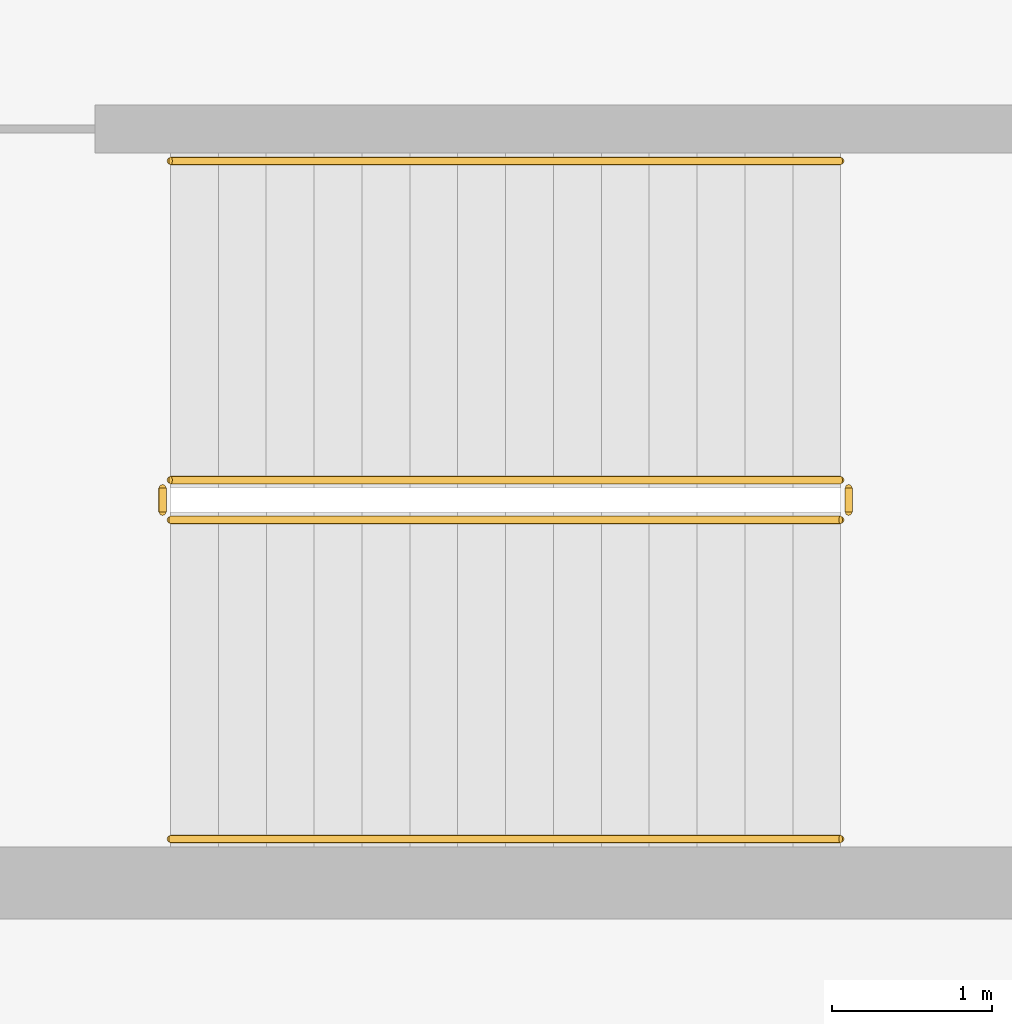
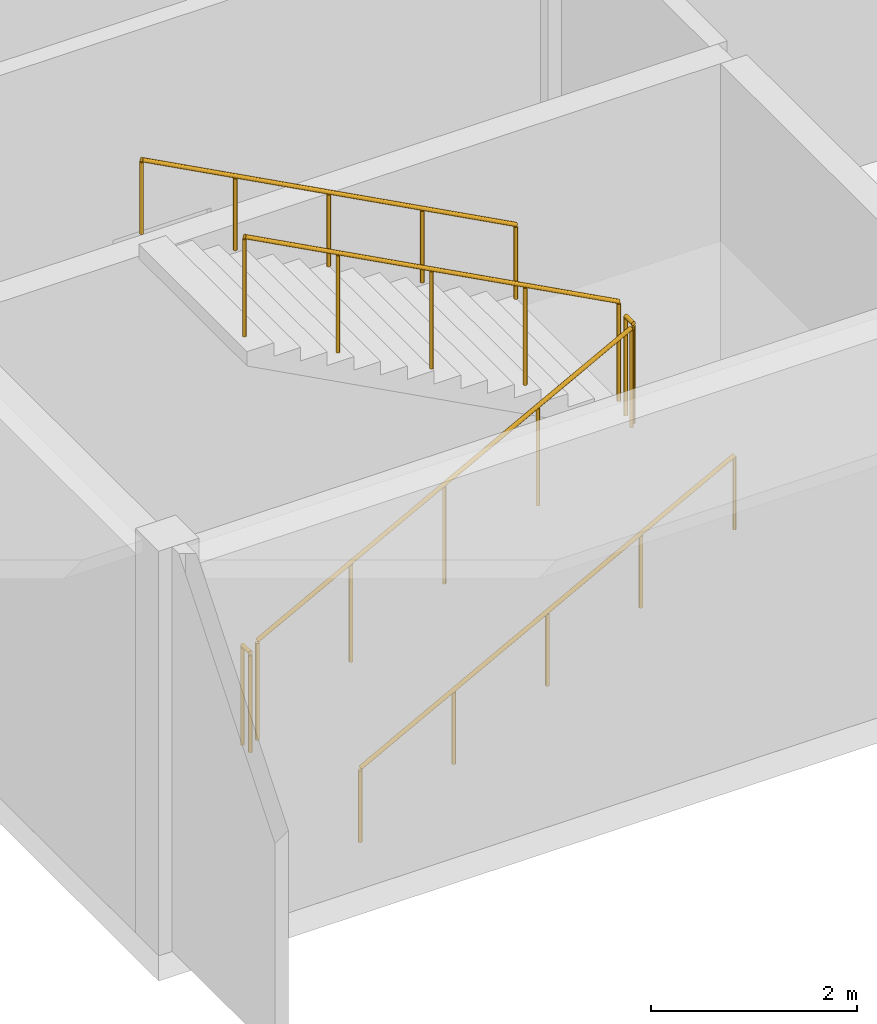
# One storey, part 172 of 182: 6 railings.
"""IFC4 building model written with IfcOpenShell, lengths in metres."""

from ifc_helpers import new_model, si_unit, direction, frame, origin, origin_2d, place, context, subcontext, project, spatial, circle, extrude, material, type_object, element, save


model = new_model("IFC4")

# Units and contexts
model_context = context("Model", 3, precision=1e-05, world=origin(), true_north=direction((0.0, 1.0)))
body_context = subcontext(model_context, "Body", "Model", "MODEL_VIEW")
ifc_project = project(units=[si_unit("LENGTHUNIT", "METRE"), si_unit("AREAUNIT", "SQUARE_METRE"), si_unit("VOLUMEUNIT", "CUBIC_METRE"), si_unit("PLANEANGLEUNIT", "RADIAN"), si_unit("MASSUNIT", "GRAM", prefix="KILO")], contexts=[model_context])

# Site, building, storey
site_placement = place(None, origin())
site = spatial("IfcSite", under=ifc_project, at=site_placement, CompositionType="ELEMENT")
building_placement = place(site_placement, origin())
building = spatial("IfcBuilding", under=site, at=building_placement, Name="Okhra Congress Centre", CompositionType="ELEMENT")
storey_placement = place(building_placement, frame((0.0, 0.0, 7.199951171875)))
storey = spatial("IfcBuildingStorey", under=building, at=storey_placement, Name="L01", CompositionType="ELEMENT", Elevation=7.199951171875)

# Railings
ifc_material_1 = material(Name="Painted steel tube handrail on wall brackets", Category="steel")
railing_type_1 = type_object("IfcRailingType", Name="Steel handrail 900", PredefinedType="HANDRAIL", material=ifc_material_1)
railing_1_placement = place(storey_placement, frame((30.324951171875, 96.27490234375, 0.16015625)))
element("IfcRailing", 1, at=railing_1_placement, inside=storey, type_object=railing_type_1, Name="L01 A stair handrail 1", PredefinedType="HANDRAIL", context=body_context, shape_type="SweptSolid", body=[
    extrude(circle(Radius=0.02392578125, at=origin_2d()), frame((0.0, 0.0, 0.8759765625), z_axis=(0.882351521365, 0.0, 0.470590897432), x_axis=(0.0, 1.0, 0.0)), (0.0, 0.0, 1.0), 4.760009765625),
    extrude(circle(Radius=0.02099609375, at=origin_2d()), origin(), (0.0, 0.0, 1.0), 0.851806640625),
    extrude(circle(Radius=0.02099609375, at=origin_2d()), frame((1.050048828125, 0.0, 0.56005859375)), (0.0, 0.0, 1.0), 0.851806640625),
    extrude(circle(Radius=0.02099609375, at=origin_2d()), frame((2.10009765625, 0.0, 1.1201171875)), (0.0, 0.0, 1.0), 0.851806640625),
    extrude(circle(Radius=0.02099609375, at=origin_2d()), frame((3.14990234375, 0.0, 1.679931640625)), (0.0, 0.0, 1.0), 0.851806640625),
    extrude(circle(Radius=0.02099609375, at=origin_2d()), frame((4.199951171875, 0.0, 2.239990234375)), (0.0, 0.0, 1.0), 0.851806640625),
])
railing_2_placement = place(storey_placement, frame((34.52490234375, 100.52490234375, 2.56005859375)))
element("IfcRailing", 2, at=railing_2_placement, inside=storey, type_object=railing_type_1, Name="L01 A stair handrail 2", PredefinedType="HANDRAIL", context=body_context, shape_type="SweptSolid", body=[
    extrude(circle(Radius=0.02392578125, at=origin_2d()), frame((0.0, 0.0, 0.8759765625), z_axis=(-0.882351521365, 0.0, 0.470590897432), x_axis=(0.0, -1.0, 0.0)), (0.0, 0.0, 1.0), 4.760009765625),
    extrude(circle(Radius=0.02099609375, at=origin_2d()), origin(), (0.0, 0.0, 1.0), 0.851806640625),
    extrude(circle(Radius=0.02099609375, at=origin_2d()), frame((-1.050048828125, 0.0, 0.56005859375)), (0.0, 0.0, 1.0), 0.851806640625),
    extrude(circle(Radius=0.02099609375, at=origin_2d()), frame((-2.10009765625, 0.0, 1.1201171875)), (0.0, 0.0, 1.0), 0.851806640625),
    extrude(circle(Radius=0.02099609375, at=origin_2d()), frame((-3.14990234375, 0.0, 1.679931640625)), (0.0, 0.0, 1.0), 0.851806640625),
    extrude(circle(Radius=0.02099609375, at=origin_2d()), frame((-4.199951171875, 0.0, 2.239990234375)), (0.0, 0.0, 1.0), 0.851806640625),
])
ifc_material_2 = material(Name="Painted steel tube guard with vertical steel balusters", Category="steel")
railing_type_2 = type_object("IfcRailingType", Name="Steel stair guard 1200", PredefinedType="GUARDRAIL", material=ifc_material_2)
railing_3_placement = place(storey_placement, frame((30.324951171875, 98.27490234375, 0.16015625)))
element("IfcRailing", 3, at=railing_3_placement, inside=storey, type_object=railing_type_2, Name="L01 A stair guard 1", PredefinedType="GUARDRAIL", context=body_context, shape_type="SweptSolid", body=[
    extrude(circle(Radius=0.02392578125, at=origin_2d()), frame((0.0, 0.0, 1.17578125), z_axis=(0.882351521365, 0.0, 0.470590897432), x_axis=(0.0, 1.0, 0.0)), (0.0, 0.0, 1.0), 4.760009765625),
    extrude(circle(Radius=0.02099609375, at=origin_2d()), origin(), (0.0, 0.0, 1.0), 1.15185546875),
    extrude(circle(Radius=0.02099609375, at=origin_2d()), frame((1.050048828125, 0.0, 0.56005859375)), (0.0, 0.0, 1.0), 1.15185546875),
    extrude(circle(Radius=0.02099609375, at=origin_2d()), frame((2.10009765625, 0.0, 1.1201171875)), (0.0, 0.0, 1.0), 1.15185546875),
    extrude(circle(Radius=0.02099609375, at=origin_2d()), frame((3.14990234375, 0.0, 1.679931640625)), (0.0, 0.0, 1.0), 1.15185546875),
    extrude(circle(Radius=0.02099609375, at=origin_2d()), frame((4.199951171875, 0.0, 2.239990234375)), (0.0, 0.0, 1.0), 1.15185546875),
])
railing_4_placement = place(storey_placement, frame((34.574951171875, 98.324951171875, 2.400146484375)))
element("IfcRailing", 4, at=railing_4_placement, inside=storey, type_object=railing_type_2, Name="L01 A stair guard 2", PredefinedType="GUARDRAIL", context=body_context, shape_type="SweptSolid", body=[
    extrude(circle(Radius=0.02392578125, at=origin_2d()), frame((0.0, 0.0, 1.17578125), z_axis=(0.0, 1.0, 0.0), x_axis=(-1.0, 0.0, 0.0)), (0.0, 0.0, 1.0), 0.150146484375),
    extrude(circle(Radius=0.02099609375, at=origin_2d()), origin(), (0.0, 0.0, 1.0), 1.15185546875),
    extrude(circle(Radius=0.02099609375, at=origin_2d()), frame((0.0, 0.150146484375, 0.0)), (0.0, 0.0, 1.0), 1.15185546875),
])
railing_5_placement = place(storey_placement, frame((34.52490234375, 98.52490234375, 2.56005859375)))
element("IfcRailing", 5, at=railing_5_placement, inside=storey, type_object=railing_type_2, Name="L01 A stair guard 3", PredefinedType="GUARDRAIL", context=body_context, shape_type="SweptSolid", body=[
    extrude(circle(Radius=0.02392578125, at=origin_2d()), frame((0.0, 0.0, 1.17578125), z_axis=(-0.882351521365, 0.0, 0.470590897432), x_axis=(0.0, -1.0, 0.0)), (0.0, 0.0, 1.0), 4.760009765625),
    extrude(circle(Radius=0.02099609375, at=origin_2d()), origin(), (0.0, 0.0, 1.0), 1.15185546875),
    extrude(circle(Radius=0.02099609375, at=origin_2d()), frame((-1.050048828125, 0.0, 0.56005859375)), (0.0, 0.0, 1.0), 1.15185546875),
    extrude(circle(Radius=0.02099609375, at=origin_2d()), frame((-2.10009765625, 0.0, 1.1201171875)), (0.0, 0.0, 1.0), 1.15185546875),
    extrude(circle(Radius=0.02099609375, at=origin_2d()), frame((-3.14990234375, 0.0, 1.679931640625)), (0.0, 0.0, 1.0), 1.15185546875),
    extrude(circle(Radius=0.02099609375, at=origin_2d()), frame((-4.199951171875, 0.0, 2.239990234375)), (0.0, 0.0, 1.0), 1.15185546875),
])
railing_6_placement = place(storey_placement, frame((30.27490234375, 98.324951171875, 0.0)))
element("IfcRailing", 6, at=railing_6_placement, inside=storey, type_object=railing_type_2, Name="L01 A stair guard 4", PredefinedType="GUARDRAIL", context=body_context, shape_type="SweptSolid", body=[
    extrude(circle(Radius=0.02392578125, at=origin_2d()), frame((0.0, 0.0, 1.17578125), z_axis=(0.0, 1.0, 0.0), x_axis=(-1.0, 0.0, 0.0)), (0.0, 0.0, 1.0), 0.150146484375),
    extrude(circle(Radius=0.02099609375, at=origin_2d()), origin(), (0.0, 0.0, 1.0), 1.15185546875),
    extrude(circle(Radius=0.02099609375, at=origin_2d()), frame((0.0, 0.150146484375, 0.0)), (0.0, 0.0, 1.0), 1.15185546875),
])

save(model, "model.ifc")
